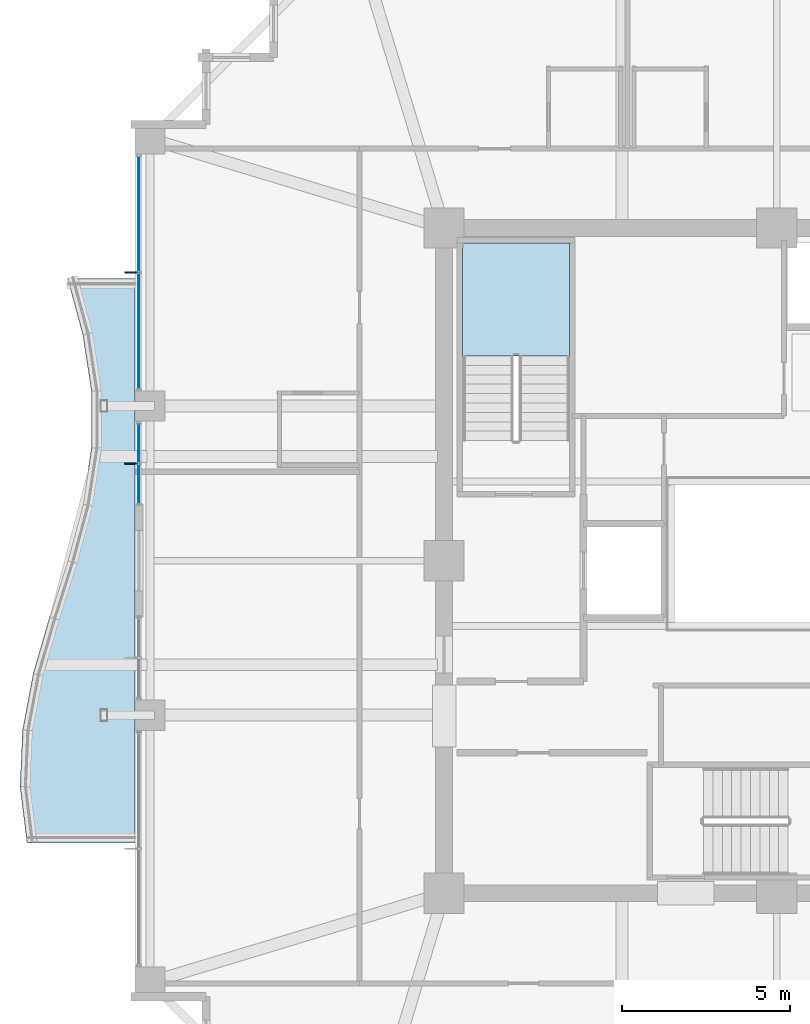
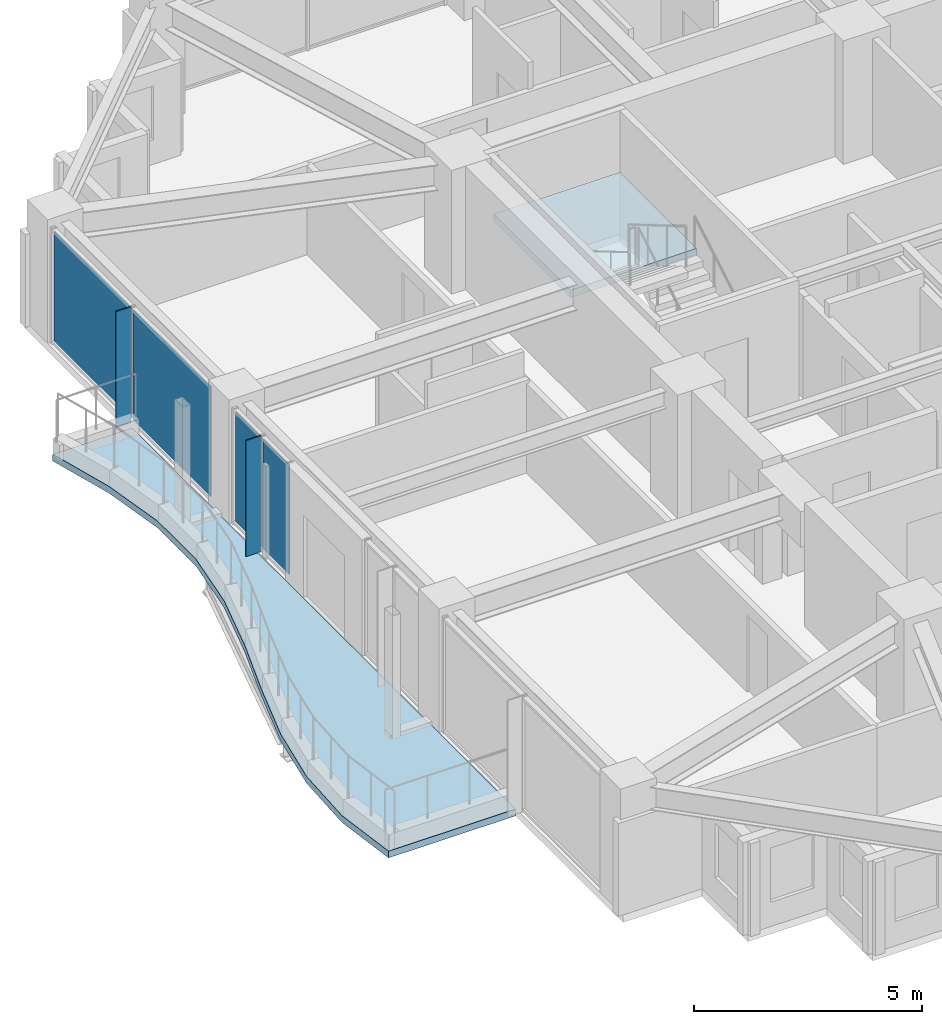
# One storey, part 26 of 35: 6 plates, 2 slabs, 3 elements without a shape of their own.
"""IFC4 building model written with IfcOpenShell, lengths in metres."""

from ifc_helpers import new_model, si_unit, direction, frame, origin, origin_2d, place, context, subcontext, project, spatial, polyline, rectangle, outline, extrude, material, layer, layer_set, type_object, element, aggregate, save


model = new_model("IFC4")

# Units and contexts
model_context = context("Model", 3, precision=1e-05, world=origin(), true_north=direction((0.0, 1.0)))
body_context = subcontext(model_context, "Body", "Model", "MODEL_VIEW")
ifc_project = project(units=[si_unit("LENGTHUNIT", "METRE"), si_unit("AREAUNIT", "SQUARE_METRE"), si_unit("VOLUMEUNIT", "CUBIC_METRE"), si_unit("PLANEANGLEUNIT", "RADIAN"), si_unit("MASSUNIT", "GRAM", prefix="KILO")], contexts=[model_context])

# Site, building, storey
site_placement = place(None, origin())
site = spatial("IfcSite", under=ifc_project, at=site_placement, CompositionType="ELEMENT")
building_placement = place(site_placement, origin())
building = spatial("IfcBuilding", under=site, at=building_placement, Name="Kolvaren Belvedere", CompositionType="ELEMENT")
storey_placement = place(building_placement, frame((0.0, 0.0, 163.5)))
storey = spatial("IfcBuildingStorey", under=building, at=storey_placement, Name="L47", CompositionType="ELEMENT", Elevation=163.5)

# Curtain wall, plates
ifc_material_1 = material(Name="Anodised pale-metal aluminium AA 6063-T6", Category="aluminium")
curtain_wall_type = type_object("IfcCurtainWallType", Name="CW-Z3-WAIST", PredefinedType="NOTDEFINED", material=ifc_material_1)
curtain_wall_1_placement = place(storey_placement, origin())
curtain_wall_1 = element("IfcCurtainWall", 1, at=curtain_wall_1_placement, inside=storey, type_object=curtain_wall_type, Name="L47 Unitised Curtain Wall FCW-L47-W2-B1", PredefinedType="NOTDEFINED")
ifc_material_2 = material(Name="Low-iron triple insulated glass", Category="glass")
ifc_layer_1 = layer(ifc_material_2, 0.028076171875)
ifc_layer_set_1 = layer_set([ifc_layer_1], Name="Low-iron triple insulated glass")
plate_type_1 = type_object("IfcPlateType", Name="CW-PNL-VIS28", PredefinedType="CURTAIN_PANEL", material=ifc_layer_set_1)
plate_1_placement = place(storey_placement, frame((-18.97998046875, 2.284423828125, 0.080078125), z_axis=(0.0, 0.0, 1.0), x_axis=(0.0, 1.0, 0.0)))
plate_1 = element("IfcPlate", 2, at=plate_1_placement, type_object=plate_type_1, Name="FCW-L47-W2-B1 Vision Glazing Panel 1", PredefinedType="CURTAIN_PANEL", context=body_context, shape_type="SweptSolid", body=[
    extrude(rectangle(XDim=1.12890625, YDim=0.028076171875, at=origin_2d()), origin(), (0.0, 0.0, 1.0), 2.93994140625),
])
plate_2_placement = place(storey_placement, frame((-18.97998046875, 3.4931640625, 0.080078125), z_axis=(0.0, 0.0, 1.0), x_axis=(0.0, 1.0, 0.0)))
plate_2 = element("IfcPlate", 3, at=plate_2_placement, type_object=plate_type_1, Name="FCW-L47-W2-B1 Vision Glazing Panel 2", PredefinedType="CURTAIN_PANEL", context=body_context, shape_type="SweptSolid", body=[
    extrude(rectangle(XDim=1.12890625, YDim=0.028076171875, at=origin_2d()), origin(), (0.0, 0.0, 1.0), 2.93994140625),
])
aggregate(curtain_wall_1, [plate_1, plate_2])

curtain_wall_2_placement = place(storey_placement, origin())
curtain_wall_2 = element("IfcCurtainWall", 4, at=curtain_wall_2_placement, inside=storey, type_object=curtain_wall_type, Name="L47 Unitised Curtain Wall FCW-L47-W2-B2", PredefinedType="NOTDEFINED")
plate_3_placement = place(storey_placement, frame((-18.97998046875, 6.8388671875, 0.080078125), z_axis=(0.0, 0.0, 1.0), x_axis=(0.0, 1.0, 0.0)))
plate_3 = element("IfcPlate", 5, at=plate_3_placement, type_object=plate_type_1, Name="FCW-L47-W2-B2 Vision Glazing Panel 1", PredefinedType="CURTAIN_PANEL", context=body_context, shape_type="SweptSolid", body=[
    extrude(rectangle(XDim=3.392578125, YDim=0.028076171875, at=origin_2d()), origin(), (0.0, 0.0, 1.0), 2.93994140625),
])
plate_4_placement = place(storey_placement, frame((-18.97998046875, 10.311279296875, 0.080078125), z_axis=(0.0, 0.0, 1.0), x_axis=(0.0, 1.0, 0.0)))
plate_4 = element("IfcPlate", 6, at=plate_4_placement, type_object=plate_type_1, Name="FCW-L47-W2-B2 Vision Glazing Panel 2", PredefinedType="CURTAIN_PANEL", context=body_context, shape_type="SweptSolid", body=[
    extrude(rectangle(XDim=3.392578125, YDim=0.028076171875, at=origin_2d()), origin(), (0.0, 0.0, 1.0), 2.93994140625),
])
aggregate(curtain_wall_2, [plate_3, plate_4])

# Plates
ifc_material_3 = material(Name="Anodised pale-metal aluminium AA 6063-T6", Category="aluminium")
ifc_layer_2 = layer(ifc_material_3, 0.033935546875)
ifc_layer_set_2 = layer_set([ifc_layer_2], Name="Anodised pale-metal aluminium AA 6063-T6")
plate_type_2 = type_object("IfcPlateType", Name="FIN-VERT-380", PredefinedType="USERDEFINED", material=ifc_layer_set_2)
for number, where, z_axis, x_axis, name in (
    (7, (-19.219970703125, 2.888671875, 0.0), (0.0, 0.0, 1.0), (1.0, 0.0, 0.0), "L47 Pale-Metal Vertical Shading Fin FCW-L47-W2-B1-1"),
    (8, (-19.219970703125, 8.574951171875, 0.0), (0.0, 0.0, 1.0), (1.0, 0.0, 0.0), "L47 Pale-Metal Vertical Shading Fin FCW-L47-W2-B2-1"),
):
    element("IfcPlate", number, at=place(storey_placement, frame(where, z_axis=z_axis, x_axis=x_axis)), inside=storey, type_object=plate_type_2, Name=name, ObjectType="VERTICAL FIN", PredefinedType="USERDEFINED", context=body_context, shape_type="SweptSolid", body=[
        extrude(rectangle(XDim=0.3798828125, YDim=0.033935546875, at=origin_2d()), origin(), (0.0, 0.0, 1.0), 3.10009765625),
    ])

# Slab
ifc_material_4 = material(Name="Concrete C50/60", Category="concrete")
ifc_layer_3 = layer(ifc_material_4, 0.179931640625)
ifc_layer_set_3 = layer_set([ifc_layer_3], Name="Concrete C50/60")
slab_type_1 = type_object("IfcSlabType", Name="SL-BAL-180", PredefinedType="FLOOR", material=ifc_layer_set_3)
slab_1_placement = place(storey_placement, frame((0.0, 0.0, -0.199951171875)))
element("IfcSlab", 9, at=slab_1_placement, inside=storey, type_object=slab_type_1, Name="L47 Planted Balcony BAL-W", PredefinedType="FLOOR", context=body_context, shape_type="SweptSolid", body=[
    extrude(outline(polyline([(-21.106201171875, 8.39990234375), (-20.652587890625, 6.719970703125), (-20.393798828125, 5.0400390625), (-20.393798828125, 3.360107421875), (-20.652587890625, 1.679931640625), (-21.106201171875, 0.0), (-21.642333984375, -1.679931640625), (-22.12841796875, -3.360107421875), (-22.444091796875, -5.0400390625), (-22.52001953125, -6.719970703125), (-22.313720703125, -8.39990234375), (-19.10009765625, -8.39990234375), (-19.10009765625, -6.719970703125), (-19.10009765625, -5.0400390625), (-19.10009765625, -3.360107421875), (-19.10009765625, -1.679931640625), (-19.10009765625, 0.0), (-19.10009765625, 1.679931640625), (-19.10009765625, 3.360107421875), (-19.10009765625, 5.0400390625), (-19.10009765625, 6.719970703125), (-19.10009765625, 8.39990234375), (-21.106201171875, 8.39990234375)])), origin(), (0.0, 0.0, 1.0), 0.179931640625),
])

# Stair, slab
ifc_material_5 = material(Name="Concrete C50/60", Category="concrete")
stair_type = type_object("IfcStairType", Name="ST-CORE-1520", PredefinedType="HALF_TURN_STAIR", material=ifc_material_5)
stair_placement = place(storey_placement, origin())
stair = element("IfcStair", 10, at=stair_placement, inside=storey, type_object=stair_type, Name="L47 Protected Exit Stair ST-1", PredefinedType="HALF_TURN_STAIR")
ifc_material_6 = material(Name="Concrete C50/60", Category="concrete")
ifc_layer_4 = layer(ifc_material_6, 0.260009765625)
ifc_layer_set_4 = layer_set([ifc_layer_4], Name="Concrete C50/60")
slab_type_2 = type_object("IfcSlabType", Name="SL-LAND-260", PredefinedType="LANDING", material=ifc_layer_set_4)
slab_2_placement = place(storey_placement, frame((0.0, 0.0, 1.449951171875)))
slab_2 = element("IfcSlab", 11, at=slab_2_placement, type_object=slab_type_2, Name="ST-1 landing 1", PredefinedType="LANDING", context=body_context, shape_type="SweptSolid", body=[
    extrude(outline(polyline([(-6.159912109375, 6.090087890625), (-6.159912109375, 9.449951171875), (-9.35009765625, 9.449951171875), (-9.35009765625, 6.090087890625), (-6.159912109375, 6.090087890625)])), origin(), (0.0, 0.0, 1.0), 0.199951171875),
])
aggregate(stair, [slab_2])

save(model, "model.ifc")
